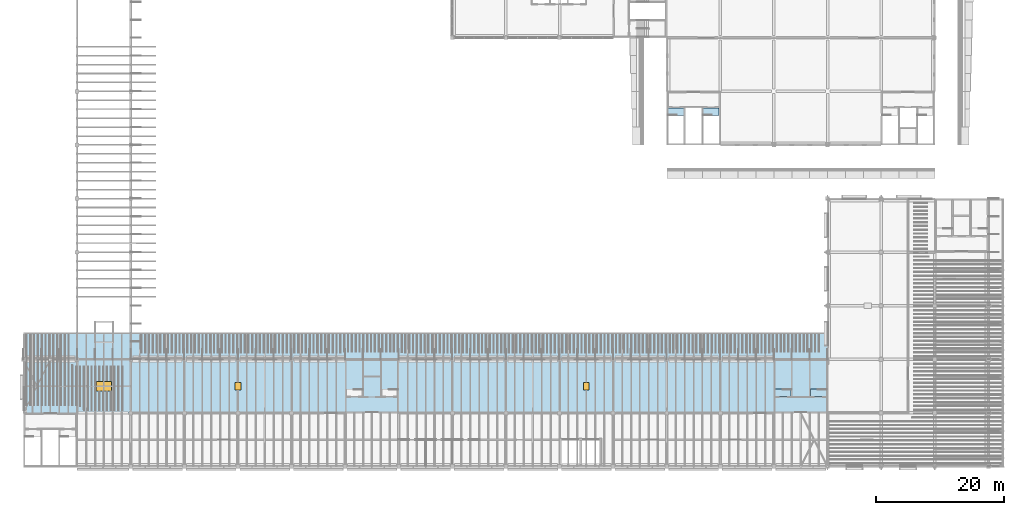
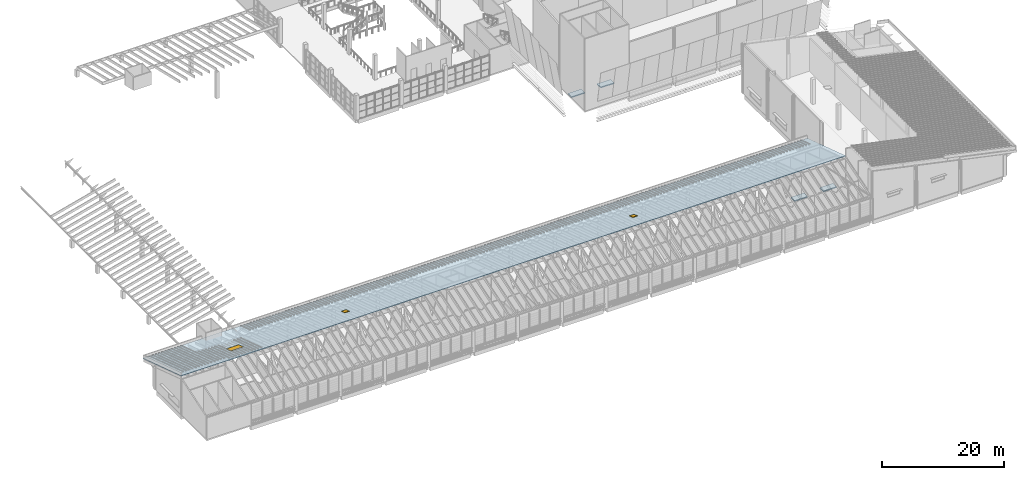
# One storey, part 14 of 59: 5 slabs, 2 doors, 1 window, 3 openings.
"""IFC4 building model written with IfcOpenShell, lengths in metres."""

import ifcopenshell
import ifcopenshell.guid

model = None  # the IFC model being written
_history = None  # IfcOwnerHistory: only IFC2X3 demands one
_inside = {}  # id of a spatial element -> (the spatial element, [elements in it])
_under = {}  # id of a project, library or spatial element -> (it, [spatial elements below it])
_declared = {}  # id of a project -> (the project, [libraries it declares])
_typed = {}  # id of a type object -> (the type object, [elements of that type])
_made_of = {}  # id of a material, layer set ... -> (it, [elements and type objects made of it])


def new_model(schema):
    """Start an empty IFC model of exactly this schema.

    Asked for "IFC4X3", IfcOpenShell would pick the latest addendum, in which some entities
    have other attributes; the version numbers below select the first issue.
    IFC2X3 requires an IfcOwnerHistory on every rooted entity: one is made here for all.
    """
    global model, _history
    if schema == "IFC4X3":
        model = ifcopenshell.file(schema_version=(4, 3, 0, 0))
    else:
        model = ifcopenshell.file(schema=schema)
    _inside.clear()
    _under.clear()
    _declared.clear()
    _typed.clear()
    _made_of.clear()
    _history = None
    if model.schema == "IFC2X3":
        org = make("IfcOrganization", Name="unknown")
        user = make(
            "IfcPersonAndOrganization",
            ThePerson=make("IfcPerson", FamilyName="unknown"),
            TheOrganization=org,
        )
        app = make(
            "IfcApplication",
            ApplicationDeveloper=org,
            Version="unknown",
            ApplicationFullName="unknown",
            ApplicationIdentifier="unknown",
        )
        _history = make(
            "IfcOwnerHistory",
            OwningUser=user,
            OwningApplication=app,
            ChangeAction="ADDED",
            CreationDate=0,
        )
    return model


def make(cls, **values):
    """One entity of the class cls with the attributes given. An attribute that is None is left unset."""
    return model.create_entity(
        cls, **{name: value for name, value in values.items() if value is not None}
    )


def rooted(cls, **values):
    """An entity with a GlobalId (a new one), such as an element, a storey or a relation."""
    return make(cls, GlobalId=ifcopenshell.guid.new(), OwnerHistory=_history, **values)


def si_unit(unit_type, name, prefix=None):
    """IfcSIUnit, for example si_unit("LENGTHUNIT", "METRE", prefix="MILLI")."""
    return make("IfcSIUnit", UnitType=unit_type, Prefix=prefix, Name=name)


def assignment(units):
    """IfcUnitAssignment: the units of a project."""
    return None if units is None else make("IfcUnitAssignment", Units=units)


def point(xyz):
    """IfcCartesianPoint."""
    return None if xyz is None else make("IfcCartesianPoint", Coordinates=xyz)


def direction(xyz):
    """IfcDirection."""
    return None if xyz is None else make("IfcDirection", DirectionRatios=xyz)


def frame(location, z_axis=None, x_axis=None):
    """IfcAxis2Placement3D, a coordinate frame: its origin and axes. An axis left out is left unset."""
    return make(
        "IfcAxis2Placement3D",
        Location=point(location),
        Axis=direction(z_axis),
        RefDirection=direction(x_axis),
    )


def frame_2d(location, x_axis=None):
    """IfcAxis2Placement2D, a coordinate frame in the plane: its origin and x axis."""
    return make(
        "IfcAxis2Placement2D", Location=point(location), RefDirection=direction(x_axis)
    )


def origin():
    """The frame at (0, 0, 0) with its axes left unset."""
    return frame((0.0, 0.0, 0.0))


def origin_2d():
    """The frame at (0, 0) in the plane with its x axis left unset."""
    return frame_2d((0.0, 0.0))


def place(relative_to, where):
    """IfcLocalPlacement: puts the frame where relative to a parent placement (None: the world)."""
    return make(
        "IfcLocalPlacement", PlacementRelTo=relative_to, RelativePlacement=where
    )


def context(
    kind, dimensions, precision=None, world=None, true_north=None, identifier=None
):
    """IfcGeometricRepresentationContext, for example the 3D "Model" context."""
    return make(
        "IfcGeometricRepresentationContext",
        ContextIdentifier=identifier,
        ContextType=kind,
        CoordinateSpaceDimension=dimensions,
        Precision=precision,
        WorldCoordinateSystem=world,
        TrueNorth=true_north,
    )


def subcontext(parent, identifier, kind, view, scale=None):
    """IfcGeometricRepresentationSubContext, for example "Body" below "Model"."""
    return make(
        "IfcGeometricRepresentationSubContext",
        ContextIdentifier=identifier,
        ContextType=kind,
        ParentContext=parent,
        TargetScale=scale,
        TargetView=view,
    )


def project(units=None, contexts=None):
    """IfcProject with its units and contexts."""
    return rooted(
        "IfcProject",
        Name="project",
        RepresentationContexts=contexts,
        UnitsInContext=assignment(units),
    )


def spatial(cls, under=None, at=None, **own):
    """A site, building, storey or space (cls), placed at a placement, below another one or the project."""
    s = rooted(cls, ObjectPlacement=at, **own)
    if under is not None:
        _under.setdefault(under.id(), (under, []))[1].append(s)
    return s


def polyline(points):
    """IfcPolyline through the points."""
    return make("IfcPolyline", Points=[point(p) for p in points])


def profile(cls, at=None, kind="AREA", **sizes):
    """A parametric profile (cls). Its sizes go by their IFC names, for example OverallWidth=200.0."""
    return make(cls, ProfileType=kind, Position=at, **sizes)


def rectangle(**sizes):
    """IfcRectangleProfileDef."""
    return profile("IfcRectangleProfileDef", **sizes)


def outline(outer, holes=None, kind="AREA"):
    """IfcArbitraryClosedProfileDef: a profile drawn as a closed curve; with holes, ...WithVoids."""
    if holes is None:
        return make("IfcArbitraryClosedProfileDef", ProfileType=kind, OuterCurve=outer)
    return make(
        "IfcArbitraryProfileDefWithVoids",
        ProfileType=kind,
        OuterCurve=outer,
        InnerCurves=holes,
    )


def extrude(swept, where, along, depth):
    """IfcExtrudedAreaSolid: the profile swept, set in the frame where, extruded along a direction by depth."""
    return make(
        "IfcExtrudedAreaSolid",
        SweptArea=swept,
        Position=where,
        ExtrudedDirection=direction(along),
        Depth=depth,
    )


def shape(context_of_items, identifier, shape_type, items):
    """IfcShapeRepresentation: the items that make up one representation, for example the "Body"."""
    return make(
        "IfcShapeRepresentation",
        ContextOfItems=context_of_items,
        RepresentationIdentifier=identifier,
        RepresentationType=shape_type,
        Items=items,
    )


def material(Name=None, Category=None):
    """IfcMaterial."""
    return make("IfcMaterial", Name=Name, Category=Category)


def layer(
    of_material, thickness, ventilated=None, Name=None, Category=None, Priority=None
):
    """IfcMaterialLayer: one layer of a wall or slab, of a material (None: an air gap)."""
    return make(
        "IfcMaterialLayer",
        Material=of_material,
        LayerThickness=thickness,
        IsVentilated=ventilated,
        Name=Name,
        Category=Category,
        Priority=Priority,
    )


def layer_set(layers, Name=None):
    """IfcMaterialLayerSet."""
    return make("IfcMaterialLayerSet", MaterialLayers=layers, LayerSetName=Name)


def made_of(thing, what):
    """Note that an element or type object is made of a material, layer set ...; save() writes the relation."""
    if what is not None:
        _made_of.setdefault(what.id(), (what, []))[1].append(thing)
    return thing


def type_object(cls, material=None, **own):
    """A type object (cls), such as IfcWallType, which elements share."""
    return made_of(rooted(cls, **own), material)


def element(
    cls,
    number,
    at=None,
    inside=None,
    cuts=None,
    type_object=None,
    material=None,
    context=None,
    identifier="Body",
    shape_type=None,
    held_by="IfcProductDefinitionShape",
    body=None,
    shapes=None,
    **own,
):
    """One element of the class cls, such as IfcWall. Its Tag is "e" and its number.

    at: its placement. inside: the storey or other place that contains it. cuts: it is an
    opening in that element (IfcRelVoidsElement). A single representation is given by context,
    identifier, shape_type and body (its items); several are given by shapes. held_by: the class
    of the entity that holds the representations. save() writes the other relations.
    """
    e = rooted(cls, Tag="e%d" % number, ObjectPlacement=at, **own)
    if body is not None:
        shapes = [shape(context, identifier, shape_type, body)]
    if shapes is not None:
        e.Representation = make(held_by, Representations=shapes)
    if inside is not None:
        _inside.setdefault(inside.id(), (inside, []))[1].append(e)
    if cuts is not None:
        rooted(
            "IfcRelVoidsElement", RelatingBuildingElement=cuts, RelatedOpeningElement=e
        )
    if type_object is not None:
        _typed.setdefault(type_object.id(), (type_object, []))[1].append(e)
    return made_of(e, material)


def fill(opening, filler):
    """IfcRelFillsElement: the door or window that sits in an opening."""
    return rooted(
        "IfcRelFillsElement",
        RelatingOpeningElement=opening,
        RelatedBuildingElement=filler,
    )


def aggregate(whole, parts):
    """IfcRelAggregates: a whole, such as a stair, and the parts it consists of."""
    return rooted("IfcRelAggregates", RelatingObject=whole, RelatedObjects=parts)


def save(model, path):
    """Write the relations noted so far, then the file.

    IfcRelAggregates (storeys below a building ...), IfcRelContainedInSpatialStructure (elements
    in a storey), IfcRelDefinesByType, IfcRelAssociatesMaterial and IfcRelDeclares: one each for
    every whole, place, type object, material and project.
    """
    for whole, parts in _under.values():
        aggregate(whole, parts)
    for where, things in _inside.values():
        rooted(
            "IfcRelContainedInSpatialStructure",
            RelatedElements=things,
            RelatingStructure=where,
        )
    for kind, things in _typed.values():
        rooted("IfcRelDefinesByType", RelatedObjects=things, RelatingType=kind)
    for what, things in _made_of.values():
        rooted("IfcRelAssociatesMaterial", RelatedObjects=things, RelatingMaterial=what)
    for by, libraries in _declared.values():
        rooted("IfcRelDeclares", RelatingContext=by, RelatedDefinitions=libraries)
    model.write(path)


model = new_model("IFC4")

# Units and contexts
model_context = context("Model", 3, precision=1e-05, world=origin(), true_north=direction((0.0, 1.0)))
body_context = subcontext(model_context, "Body", "Model", "MODEL_VIEW")
ifc_project = project(units=[si_unit("LENGTHUNIT", "METRE"), si_unit("AREAUNIT", "SQUARE_METRE"), si_unit("VOLUMEUNIT", "CUBIC_METRE"), si_unit("PLANEANGLEUNIT", "RADIAN"), si_unit("MASSUNIT", "GRAM", prefix="KILO")], contexts=[model_context])

# Site, building, storey
site_placement = place(None, origin())
site = spatial("IfcSite", under=ifc_project, at=site_placement, CompositionType="ELEMENT")
building_placement = place(site_placement, origin())
building = spatial("IfcBuilding", under=site, at=building_placement, Name="Almond Square Museum", CompositionType="ELEMENT")
storey_placement = place(building_placement, frame((0.0, 0.0, 25.0)))
storey = spatial("IfcBuildingStorey", under=building, at=storey_placement, Name="L04", CompositionType="ELEMENT", Elevation=25.0)

# Slabs
ifc_material_1 = material(Name="Concrete C40/50", Category="concrete")
ifc_layer_1 = layer(ifc_material_1, 0.199951171875)
ifc_layer_set_1 = layer_set([ifc_layer_1], Name="Concrete C40/50")
slab_type_1 = type_object("IfcSlabType", Name="Concrete stair landing 200", PredefinedType="LANDING", material=ifc_layer_set_1)
slab_1_placement = place(storey_placement, frame((0.0, 0.0, -0.199951171875)))
element("IfcSlab", 1, at=slab_1_placement, inside=storey, type_object=slab_type_1, Name="L04 stair H1-1 floor landing", PredefinedType="LANDING", context=body_context, shape_type="SweptSolid", body=[
    extrude(outline(polyline([(107.0, 55.047119140625), (109.5, 55.047119140625), (109.5, 56.199951171875), (107.0, 56.199951171875), (107.0, 55.047119140625)])), origin(), (0.0, 0.0, 1.0), 0.199951171875),
])
slab_2_placement = place(storey_placement, frame((0.0, 0.0, -0.199951171875)))
element("IfcSlab", 2, at=slab_2_placement, inside=storey, type_object=slab_type_1, Name="L04 stair H1-2 floor landing", PredefinedType="LANDING", context=body_context, shape_type="SweptSolid", body=[
    extrude(outline(polyline([(112.5, 55.047119140625), (115.0, 55.047119140625), (115.0, 56.199951171875), (112.5, 56.199951171875), (112.5, 55.047119140625)])), origin(), (0.0, 0.0, 1.0), 0.199951171875),
])
slab_3_placement = place(storey_placement, frame((0.0, 0.0, -0.199951171875)))
element("IfcSlab", 3, at=slab_3_placement, inside=storey, type_object=slab_type_1, Name="L04 stair S3-1 floor landing", PredefinedType="LANDING", context=body_context, shape_type="SweptSolid", body=[
    extrude(outline(polyline([(123.800048828125, 11.0), (126.300048828125, 11.0), (126.300048828125, 12.153076171875), (123.800048828125, 12.153076171875), (123.800048828125, 11.0)])), origin(), (0.0, 0.0, 1.0), 0.199951171875),
])
slab_4_placement = place(storey_placement, frame((0.0, 0.0, -0.199951171875)))
element("IfcSlab", 4, at=slab_4_placement, inside=storey, type_object=slab_type_1, Name="L04 stair S3-2 floor landing", PredefinedType="LANDING", context=body_context, shape_type="SweptSolid", body=[
    extrude(outline(polyline([(129.300048828125, 11.0), (131.800048828125, 11.0), (131.800048828125, 12.153076171875), (129.300048828125, 12.153076171875), (129.300048828125, 11.0)])), origin(), (0.0, 0.0, 1.0), 0.199951171875),
])

# Slab, openings, doors, window
ifc_material_2 = material(Name="Steel S355 deck with zinc standing seam", Category="steel")
ifc_layer_2 = layer(ifc_material_2, 0.10009765625)
ifc_layer_set_2 = layer_set([ifc_layer_2], Name="Steel S355 deck with zinc standing seam")
slab_type_2 = type_object("IfcSlabType", Name="Steel deck standing seam roof 100", PredefinedType="ROOF", material=ifc_layer_set_2)
slab_5_placement = place(storey_placement, frame((6.0, 8.39990234375, 7.729248046875), z_axis=(0.0, 0.309015235516, 0.951057087781), x_axis=(1.0, 0.0, 0.0)))
slab_5 = element("IfcSlab", 5, at=slab_5_placement, inside=storey, type_object=slab_type_2, Name="Roof covering RF-V5S-N", PredefinedType="ROOF", context=body_context, shape_type="SweptSolid", body=[
    extrude(outline(polyline([(0.0, 0.0), (126.0, 0.0), (126.0, 13.248518746279094), (0.0, 13.248518746279094), (0.0, 0.0)])), origin(), (0.0, 0.0, -1.0), 0.10009765625),
])
opening_1_placement = place(slab_5_placement, frame((12.60009765625, 4.416259765625, 0.010009765625), z_axis=(0.0, 0.0, -1.0), x_axis=(-1.0, 0.0, 0.0)))
opening_1 = element("IfcOpeningElement", 6, at=opening_1_placement, cuts=slab_5, Name="Opening RL24", PredefinedType="OPENING", context=body_context, shape_type="SweptSolid", body=[
    extrude(rectangle(XDim=2.39990234375, YDim=1.60009765625, at=origin_2d()), origin(), (0.0, 0.0, 1.0), 0.1201171875),
])
opening_2_placement = place(slab_5_placement, frame((33.60009765625, 4.416259765625, 0.010009765625), z_axis=(0.0, 0.0, -1.0), x_axis=(-1.0, 0.0, 0.0)))
opening_2 = element("IfcOpeningElement", 7, at=opening_2_placement, cuts=slab_5, Name="Opening HT2", PredefinedType="OPENING", context=body_context, shape_type="SweptSolid", body=[
    extrude(rectangle(XDim=0.89990234375, YDim=1.199951171875, at=origin_2d()), origin(), (0.0, 0.0, 1.0), 0.1201171875),
])
opening_3_placement = place(slab_5_placement, frame((88.199951171875, 4.416259765625, 0.010009765625), z_axis=(0.0, 0.0, -1.0), x_axis=(-1.0, 0.0, 0.0)))
opening_3 = element("IfcOpeningElement", 8, at=opening_3_placement, cuts=slab_5, Name="Opening HT3", PredefinedType="OPENING", context=body_context, shape_type="SweptSolid", body=[
    extrude(rectangle(XDim=0.89990234375, YDim=1.199951171875, at=origin_2d()), origin(), (0.0, 0.0, 1.0), 0.1201171875),
])
ifc_material_3 = material(Name="Insulated aluminium hatch", Category="aluminium")
door_type = type_object("IfcDoorType", Name="Roof access hatch 900 x 1200", OperationType="NOTDEFINED", PredefinedType="TRAPDOOR", material=ifc_material_3)
door_1_placement = place(opening_2_placement, frame((0.0, 0.0, 0.010009765625)))
door_1 = element("IfcDoor", 9, at=door_1_placement, inside=storey, type_object=door_type, Name="Roof hatch 2", OperationType="SINGLE_SWING_LEFT", OverallHeight=1.199951171875, OverallWidth=0.89990234375, PredefinedType="TRAPDOOR", context=body_context, shape_type="SweptSolid", body=[
    extrude(rectangle(XDim=0.89990234375, YDim=1.199951171875, at=origin_2d()), origin(), (0.0, 0.0, 1.0), 0.050048828125),
])
fill(opening_2, door_1)
door_2_placement = place(opening_3_placement, frame((0.0, 0.0, 0.010009765625)))
door_2 = element("IfcDoor", 10, at=door_2_placement, inside=storey, type_object=door_type, Name="Roof hatch 3", OperationType="SINGLE_SWING_LEFT", OverallHeight=1.199951171875, OverallWidth=0.89990234375, PredefinedType="TRAPDOOR", context=body_context, shape_type="SweptSolid", body=[
    extrude(rectangle(XDim=0.89990234375, YDim=1.199951171875, at=origin_2d()), origin(), (0.0, 0.0, 1.0), 0.050048828125),
])
fill(opening_3, door_2)
ifc_material_4 = material(Name="Aluminium frame and laminated glass", Category="aluminium")
window_type = type_object("IfcWindowType", Name="Roof lantern light 2400 x 1600", PartitioningType="SINGLE_PANEL", PredefinedType="SKYLIGHT", material=ifc_material_4)
window_placement = place(opening_1_placement, frame((0.0, 0.0, 0.010009765625)))
window = element("IfcWindow", 11, at=window_placement, inside=storey, type_object=window_type, Name="Rooflight", OverallHeight=1.60009765625, OverallWidth=2.39990234375, PartitioningType="SINGLE_PANEL", PredefinedType="SKYLIGHT", context=body_context, shape_type="SweptSolid", body=[
    extrude(rectangle(XDim=2.39990234375, YDim=1.60009765625, at=origin_2d()), origin(), (0.0, 0.0, 1.0), 0.050048828125),
])
fill(opening_1, window)

save(model, "model.ifc")
